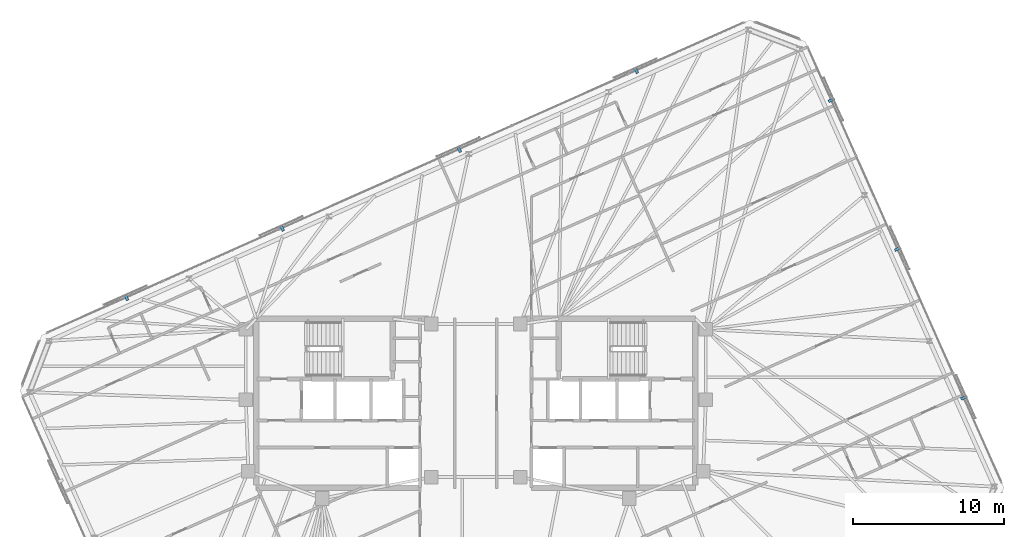
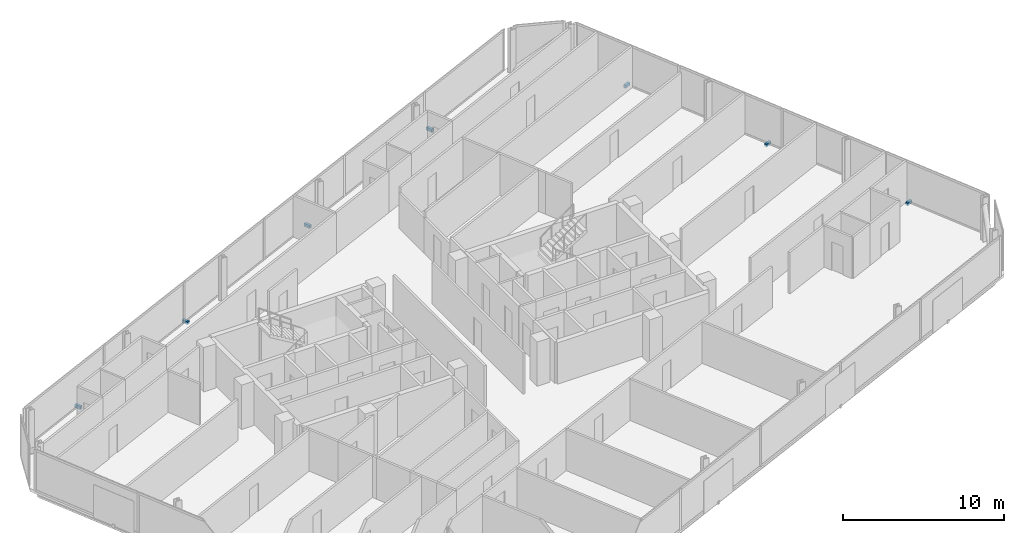
# One storey, part 18 of 19: 7 discrete accessories.
"""IFC4 building model written with IfcOpenShell, lengths in metres."""

from ifc_helpers import new_model, si_unit, direction, frame, origin, origin_2d, place, context, subcontext, project, spatial, rectangle, extrude, material, type_object, element, save


model = new_model("IFC4")

# Units and contexts
model_context = context("Model", 3, precision=1e-05, world=origin(), true_north=direction((0.0, 1.0)))
body_context = subcontext(model_context, "Body", "Model", "MODEL_VIEW")
ifc_project = project(units=[si_unit("LENGTHUNIT", "METRE"), si_unit("AREAUNIT", "SQUARE_METRE"), si_unit("VOLUMEUNIT", "CUBIC_METRE"), si_unit("PLANEANGLEUNIT", "RADIAN"), si_unit("MASSUNIT", "GRAM", prefix="KILO")], contexts=[model_context])

# Site, building, storey
site_placement = place(None, origin())
site = spatial("IfcSite", under=ifc_project, at=site_placement, CompositionType="ELEMENT")
building_placement = place(site_placement, origin())
building = spatial("IfcBuilding", under=site, at=building_placement, Name="Menara Jurai Vektor", CompositionType="ELEMENT")
storey_placement = place(building_placement, frame((0.0, 0.0, 288.60009765625)))
storey = spatial("IfcBuildingStorey", under=building, at=storey_placement, Name="L77", CompositionType="ELEMENT", Elevation=288.60009765625)

# Discrete accessories
ifc_material = material(Name="Steel S355", Category="steel")
discrete_accessory_type = type_object("IfcDiscreteAccessoryType", Name="ENV-ACC-BRACKET", PredefinedType="BRACKET", material=ifc_material)
for number, where, z_axis, x_axis, name in (
    (1, (32.376708984375, 0.36572265625, -0.1298828125), (0.0, 0.0, 1.0), (-0.406736643076, 0.913545457643, 0.0), "Solar Screen Stand-Off Bracket L77-S05"),
    (2, (27.98388671875, 10.23193359375, -0.1298828125), (0.0, 0.0, 1.0), (-0.406736643076, 0.913545457643, 0.0), "Solar Screen Stand-Off Bracket L77-S06"),
    (3, (23.59130859375, 20.098388671875, -0.1298828125), (0.0, 0.0, 1.0), (-0.406736643076, 0.913545457643, 0.0), "Solar Screen Stand-Off Bracket L77-S07"),
    (4, (10.633056640625, 22.07470703125, -0.1298828125), (0.0, 0.0, 1.0), (-0.913545457643, -0.406736643076, 0.0), "Solar Screen Stand-Off Bracket L77-S08"),
    (5, (-1.10595703125, 16.84814453125, -0.1298828125), (0.0, 0.0, 1.0), (-0.913545457643, -0.406736643076, 0.0), "Solar Screen Stand-Off Bracket L77-S09"),
    (6, (-12.84521484375, 11.62158203125, -0.1298828125), (0.0, 0.0, 1.0), (-0.913545457643, -0.406736643076, 0.0), "Solar Screen Stand-Off Bracket L77-S10"),
    (7, (-23.17529296875, 7.022216796875, -0.1298828125), (0.0, 0.0, 1.0), (-0.913545457643, -0.406736643076, 0.0), "Solar Screen Stand-Off Bracket L77-S11"),
):
    element("IfcDiscreteAccessory", number, at=place(storey_placement, frame(where, z_axis=z_axis, x_axis=x_axis)), inside=storey, type_object=discrete_accessory_type, Name=name, PredefinedType="BRACKET", context=body_context, shape_type="SweptSolid", body=[
        extrude(rectangle(XDim=0.179931640625, YDim=0.43994140625, at=origin_2d()), origin(), (0.0, 0.0, 1.0), 0.219970703125),
    ])

save(model, "model.ifc")
